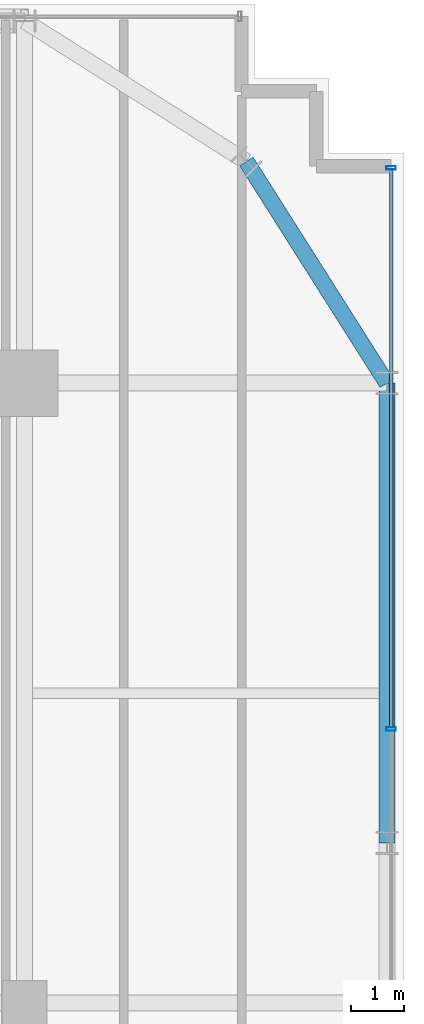
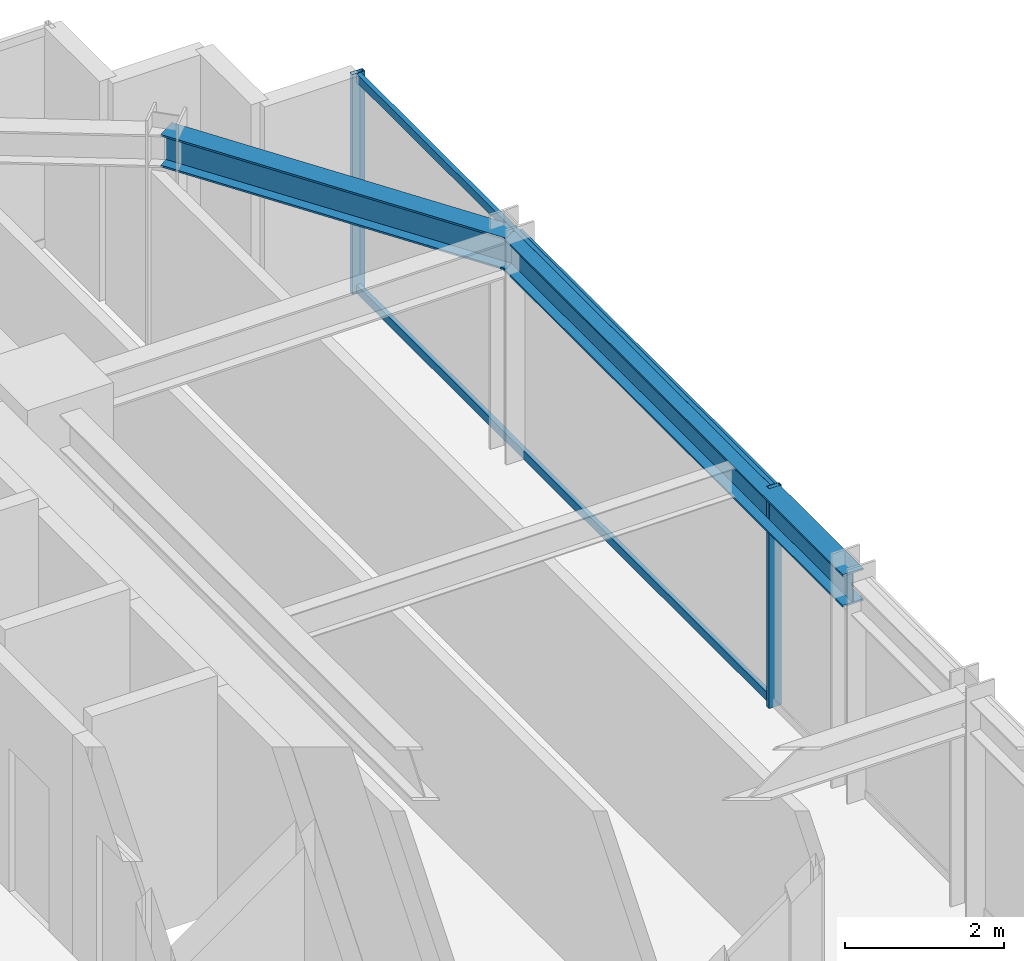
# One storey, part 25 of 35: 4 members, 2 beams, 1 element without a shape of its own.
"""IFC4 building model written with IfcOpenShell, lengths in metres."""

from ifc_helpers import new_model, si_unit, direction, frame, origin, origin_2d, place, context, subcontext, project, spatial, hollow_rectangle, i_section, extrude, source, transform, mapped, material, material_profile, profile_set, type_object, element, aggregate, save


model = new_model("IFC4")

# Units and contexts
model_context = context("Model", 3, precision=1e-05, world=origin(), true_north=direction((0.0, 1.0)))
body_context = subcontext(model_context, "Body", "Model", "MODEL_VIEW")
ifc_project = project(units=[si_unit("LENGTHUNIT", "METRE"), si_unit("AREAUNIT", "SQUARE_METRE"), si_unit("VOLUMEUNIT", "CUBIC_METRE"), si_unit("PLANEANGLEUNIT", "RADIAN"), si_unit("MASSUNIT", "GRAM", prefix="KILO")], contexts=[model_context])

# Site, building, storey
site_placement = place(None, origin())
site = spatial("IfcSite", under=ifc_project, at=site_placement, CompositionType="ELEMENT")
building_placement = place(site_placement, origin())
building = spatial("IfcBuilding", under=site, at=building_placement, Name="Nahalor Promenade Grand Hotel", CompositionType="ELEMENT")
storey_placement = place(building_placement, frame((0.0, 0.0, 121.14990234375)))
storey = spatial("IfcBuildingStorey", under=building, at=storey_placement, Name="L30", CompositionType="ELEMENT", Elevation=121.14990234375)

# Beams
ifc_material_1 = material(Name="Steel S355JR", Category="steel")
ifc_material_profile_1 = material_profile(ifc_material_1, i_section(OverallWidth=0.3, OverallDepth=0.5, WebThickness=0.0145, FlangeThickness=0.028, at=origin_2d()), Name="HEB 500")
ifc_profile_set_1 = profile_set([ifc_material_profile_1], Name="Steel S355JR")
beam_type = type_object("IfcBeamType", Name="Beam-Spandrel-HEB500", PredefinedType="SPANDREL", material=ifc_profile_set_1)
shared_shape_1 = source(origin(), body_context, "Body", "SweptSolid", [
    extrude(i_section(OverallWidth=0.3, OverallDepth=0.5, WebThickness=0.0145, FlangeThickness=0.028, at=origin_2d()), origin(), (0.0, 0.0, 1.0), 8.60009765625),
])
beam_1_placement = place(storey_placement, frame((23.780029296875, 8.39990234375, 3.130126953125), z_axis=(0.0, 1.0, 0.0), x_axis=(-1.0, 0.0, 0.0)))
element("IfcBeam", 1, at=beam_1_placement, inside=storey, type_object=beam_type, Name="BM-L30-SP-E-4", PredefinedType="SPANDREL", context=body_context, shape_type="MappedRepresentation", body=[
    mapped(shared_shape_1, transform((0.0, 0.0, 0.0), scale=1.0)),
])
shared_shape_2 = source(origin(), body_context, "Body", "SweptSolid", [
    extrude(i_section(OverallWidth=0.3, OverallDepth=0.5, WebThickness=0.0145, FlangeThickness=0.028, at=origin_2d()), origin(), (0.0, 0.0, 1.0), 4.9130859375),
])
beam_2_placement = place(storey_placement, frame((21.14990234375, 21.14990234375, 3.130126953125), z_axis=(0.535321591403, -0.844648325505, 0.0), x_axis=(0.844648325505, 0.535321591403, 0.0)))
element("IfcBeam", 2, at=beam_2_placement, inside=storey, type_object=beam_type, Name="BM-L30-SPC-NE-2", PredefinedType="SPANDREL", context=body_context, shape_type="MappedRepresentation", body=[
    mapped(shared_shape_2, transform((0.0, 0.0, 0.0), scale=1.0)),
])

# Curtain wall, members
ifc_material_2 = material(Name="Anodised Bronze Aluminium EN AW-6063 T6", Category="aluminium")
curtain_wall_type = type_object("IfcCurtainWallType", Name="CW2 Typical Hotel Flush Bronze Unitised Curtain Wall", PredefinedType="USERDEFINED", material=ifc_material_2)
curtain_wall_placement = place(storey_placement, origin())
curtain_wall = element("IfcCurtainWall", 3, at=curtain_wall_placement, inside=storey, type_object=curtain_wall_type, Name="L30 Curtain Wall CW-L30-E-1", ObjectType="UNITISED_CURTAIN_WALL", PredefinedType="USERDEFINED")
ifc_material_profile_2 = material_profile(ifc_material_2, hollow_rectangle(XDim=0.065, YDim=0.13, WallThickness=0.004, at=origin_2d()), Name="CWT 65x130x4")
ifc_profile_set_2 = profile_set([ifc_material_profile_2], Name="Anodised Bronze Aluminium EN AW-6063 T6")
member_type_1 = type_object("IfcMemberType", Name="CWT2 Typical Bronze Transom 65x130", PredefinedType="USERDEFINED", material=ifc_profile_set_2)
shared_shape_3 = source(origin(), body_context, "Body", "SweptSolid", [
    extrude(hollow_rectangle(XDim=0.065, YDim=0.13, WallThickness=0.004, at=origin_2d()), origin(), (0.0, 0.0, 1.0), 10.4326171875),
])
member_1_placement = place(storey_placement, frame((23.860107421875, 10.5625, 0.065185546875), z_axis=(0.0, 1.0, 0.0), x_axis=(-1.0, 0.0, 0.0)))
member_1 = element("IfcMember", 4, at=member_1_placement, type_object=member_type_1, Name="CW-L30-E-1 Transom 3-0", ObjectType="TRANSOM", PredefinedType="USERDEFINED", context=body_context, shape_type="MappedRepresentation", body=[
    mapped(shared_shape_3, transform((0.0, 0.0, 0.0), scale=1.0)),
])
member_2_placement = place(storey_placement, frame((23.860107421875, 10.5625, 3.315185546875), z_axis=(0.0, 1.0, 0.0), x_axis=(-1.0, 0.0, 0.0)))
member_2 = element("IfcMember", 5, at=member_2_placement, type_object=member_type_1, Name="CW-L30-E-1 Transom 3-1", ObjectType="TRANSOM", PredefinedType="USERDEFINED", context=body_context, shape_type="MappedRepresentation", body=[
    mapped(shared_shape_3, transform((0.0, 0.0, 0.0), scale=1.0)),
])
ifc_material_profile_3 = material_profile(ifc_material_2, hollow_rectangle(XDim=0.065, YDim=0.18, WallThickness=0.004, at=origin_2d()), Name="CWM 65x180x4")
ifc_profile_set_3 = profile_set([ifc_material_profile_3], Name="Anodised Bronze Aluminium EN AW-6063 T6")
member_type_2 = type_object("IfcMemberType", Name="CWM2 Typical Bronze Mullion 65x180", PredefinedType="MULLION", material=ifc_profile_set_3)
shared_shape_4 = source(origin(), body_context, "Body", "SweptSolid", [
    extrude(hollow_rectangle(XDim=0.065, YDim=0.18, WallThickness=0.004, at=origin_2d()), origin(), (0.0, 0.0, 1.0), 3.380126953125),
])
member_3_placement = place(storey_placement, frame((23.860107421875, 10.530029296875, 0.0), z_axis=(0.0, 0.0, 1.0), x_axis=(0.0, 1.0, 0.0)))
member_3 = element("IfcMember", 6, at=member_3_placement, type_object=member_type_2, Name="CW-L30-E-1 Mullion 3", PredefinedType="MULLION", context=body_context, shape_type="MappedRepresentation", body=[
    mapped(shared_shape_4, transform((0.0, 0.0, 0.0), scale=1.0)),
])
member_4_placement = place(storey_placement, frame((23.860107421875, 21.027587890625, 0.0), z_axis=(0.0, 0.0, 1.0), x_axis=(0.0, 1.0, 0.0)))
member_4 = element("IfcMember", 7, at=member_4_placement, type_object=member_type_2, Name="CW-L30-E-1 Mullion 4", PredefinedType="MULLION", context=body_context, shape_type="MappedRepresentation", body=[
    mapped(shared_shape_4, transform((0.0, 0.0, 0.0), scale=1.0)),
])
aggregate(curtain_wall, [member_3, member_4, member_1, member_2])

save(model, "model.ifc")
